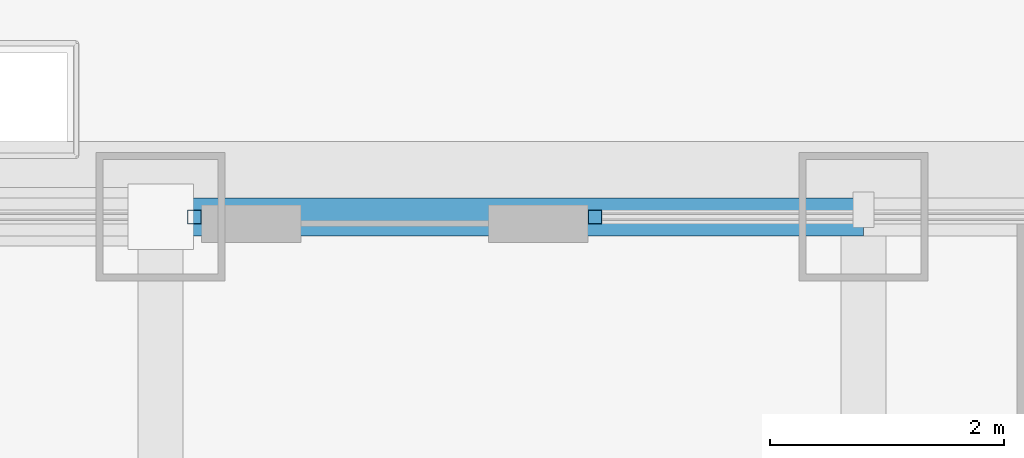
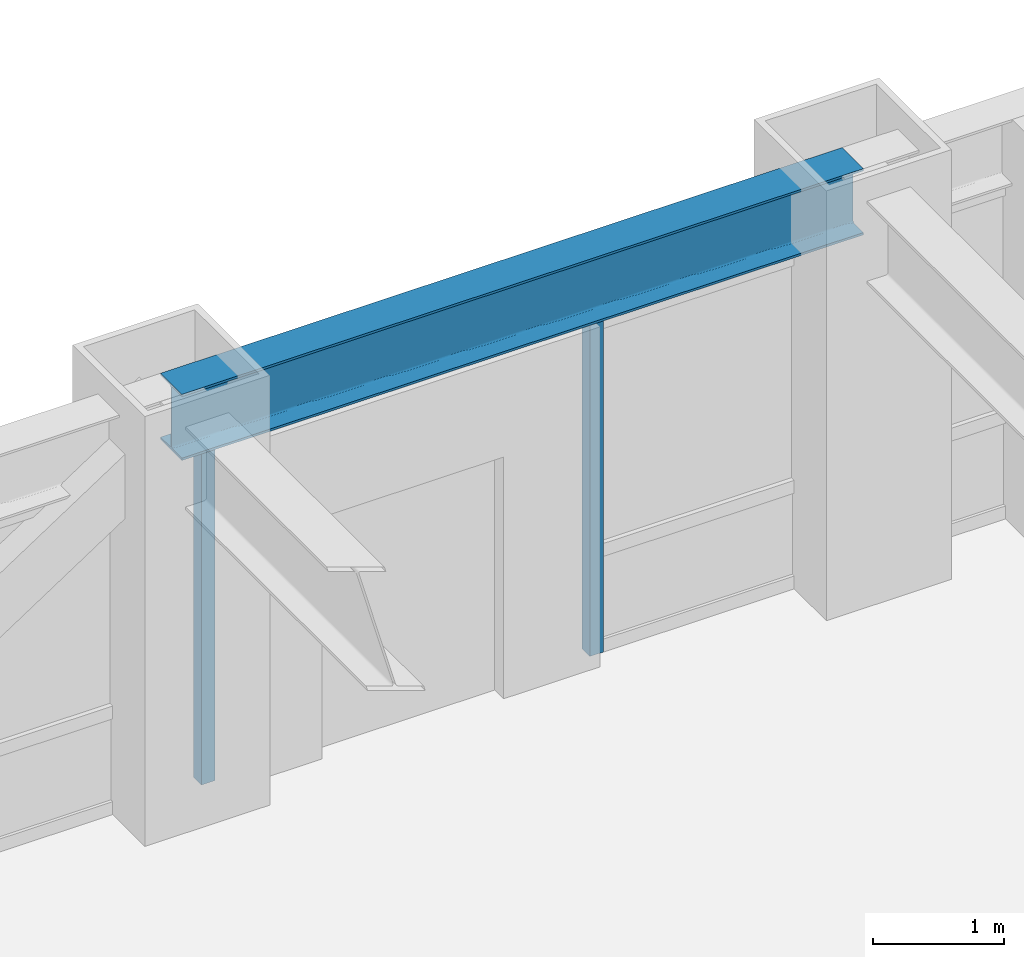
# One storey, part 19 of 35: 2 members, 1 beam, 2 elements without a shape of their own.
"""IFC4 building model written with IfcOpenShell, lengths in metres."""

from ifc_helpers import new_model, si_unit, direction, frame, origin, origin_2d, place, context, subcontext, project, spatial, hollow_rectangle, i_section, extrude, source, transform, mapped, material, material_profile, profile_set, type_object, element, aggregate, save


model = new_model("IFC4")

# Units and contexts
model_context = context("Model", 3, precision=1e-05, world=origin(), true_north=direction((0.0, 1.0)))
body_context = subcontext(model_context, "Body", "Model", "MODEL_VIEW")
ifc_project = project(units=[si_unit("LENGTHUNIT", "METRE"), si_unit("AREAUNIT", "SQUARE_METRE"), si_unit("VOLUMEUNIT", "CUBIC_METRE"), si_unit("PLANEANGLEUNIT", "RADIAN"), si_unit("MASSUNIT", "GRAM", prefix="KILO")], contexts=[model_context])

# Site, building, storey
site_placement = place(None, origin())
site = spatial("IfcSite", under=ifc_project, at=site_placement, CompositionType="ELEMENT")
building_placement = place(site_placement, origin())
building = spatial("IfcBuilding", under=site, at=building_placement, Name="Khorayat Bourse Tower", CompositionType="ELEMENT")
storey_placement = place(building_placement, frame((0.0, 0.0, 155.10009765625)))
storey = spatial("IfcBuildingStorey", under=building, at=storey_placement, Name="L35", CompositionType="ELEMENT", Elevation=155.10009765625)

# Beam
ifc_material_1 = material(Name="Steel ASTM A992 Grade 50", Category="steel")
ifc_material_profile_1 = material_profile(ifc_material_1, i_section(OverallWidth=0.324951171875, OverallDepth=0.615966796875, WebThickness=0.013916015625, FlangeThickness=0.021484375, FilletRadius=0.01611328125, at=origin_2d()), Name="W610X174")
ifc_profile_set_1 = profile_set([ifc_material_profile_1], Name="Steel ASTM A992 Grade 50")
beam_type = type_object("IfcBeamType", Name="BM-SPAN-610", PredefinedType="SPANDREL", material=ifc_profile_set_1)
shared_shape_1 = source(origin(), body_context, "Body", "SweptSolid", [
    extrude(i_section(OverallWidth=0.324951171875, OverallDepth=0.615966796875, WebThickness=0.013916015625, FlangeThickness=0.021484375, FilletRadius=0.01611328125, at=origin_2d()), origin(), (0.0, 0.0, 1.0), 6.0),
])
beam_placement = place(storey_placement, frame((-6.0, 30.0, 3.471923828125), z_axis=(1.0, 0.0, 0.0), x_axis=(0.0, 1.0, 0.0)))
element("IfcBeam", 1, at=beam_placement, inside=storey, type_object=beam_type, Name="L35 BM-SPAN-610 BM-L35-SPN-048", PredefinedType="SPANDREL", context=body_context, shape_type="MappedRepresentation", body=[
    mapped(shared_shape_1, transform((0.0, 0.0, 0.0), scale=1.0)),
])

# Curtain wall, member
ifc_material_2 = material(Name="Aluminium EN AW-6063 T6", Category="aluminium")
curtain_wall_type = type_object("IfcCurtainWallType", Name="CW-SYS-03", PredefinedType="NOTDEFINED", material=ifc_material_2)
curtain_wall_1_placement = place(storey_placement, origin())
curtain_wall_1 = element("IfcCurtainWall", 2, at=curtain_wall_1_placement, inside=storey, type_object=curtain_wall_type, Name="L35 Curtain Wall CW-L35-N1", PredefinedType="NOTDEFINED")
ifc_material_profile_2 = material_profile(ifc_material_2, hollow_rectangle(XDim=0.1201171875, YDim=0.1201171875, WallThickness=0.0048828125, at=origin_2d()), Name="ALU 120x120x5")
ifc_profile_set_2 = profile_set([ifc_material_profile_2], Name="Aluminium EN AW-6063 T6")
member_type = type_object("IfcMemberType", Name="CWM-VERT-120", PredefinedType="MULLION", material=ifc_profile_set_2)
shared_shape_2 = source(origin(), body_context, "Body", "SweptSolid", [
    extrude(hollow_rectangle(XDim=0.1201171875, YDim=0.1201171875, WallThickness=0.0048828125, at=origin_2d()), origin(), (0.0, 0.0, 1.0), 3.1298828125),
])
member_1_placement = place(storey_placement, frame((-5.7099609375, 30.0, 0.0), z_axis=(0.0, 0.0, 1.0), x_axis=(0.0, 1.0, 0.0)))
member_1 = element("IfcMember", 3, at=member_1_placement, type_object=member_type, Name="CW-L35-N1 Vertical Mullion 3", PredefinedType="MULLION", context=body_context, shape_type="MappedRepresentation", body=[
    mapped(shared_shape_2, transform((0.0, 0.0, 0.0), scale=1.0)),
])
aggregate(curtain_wall_1, [member_1])

curtain_wall_2_placement = place(storey_placement, origin())
curtain_wall_2 = element("IfcCurtainWall", 4, at=curtain_wall_2_placement, inside=storey, type_object=curtain_wall_type, Name="L35 Curtain Wall CW-L35-N2", PredefinedType="NOTDEFINED")
member_2_placement = place(storey_placement, frame((-2.2900390625, 30.0, 0.0), z_axis=(0.0, 0.0, 1.0), x_axis=(0.0, 1.0, 0.0)))
member_2 = element("IfcMember", 5, at=member_2_placement, type_object=member_type, Name="CW-L35-N2 Vertical Mullion 1", PredefinedType="MULLION", context=body_context, shape_type="MappedRepresentation", body=[
    mapped(shared_shape_2, transform((0.0, 0.0, 0.0), scale=1.0)),
])
aggregate(curtain_wall_2, [member_2])

save(model, "model.ifc")
